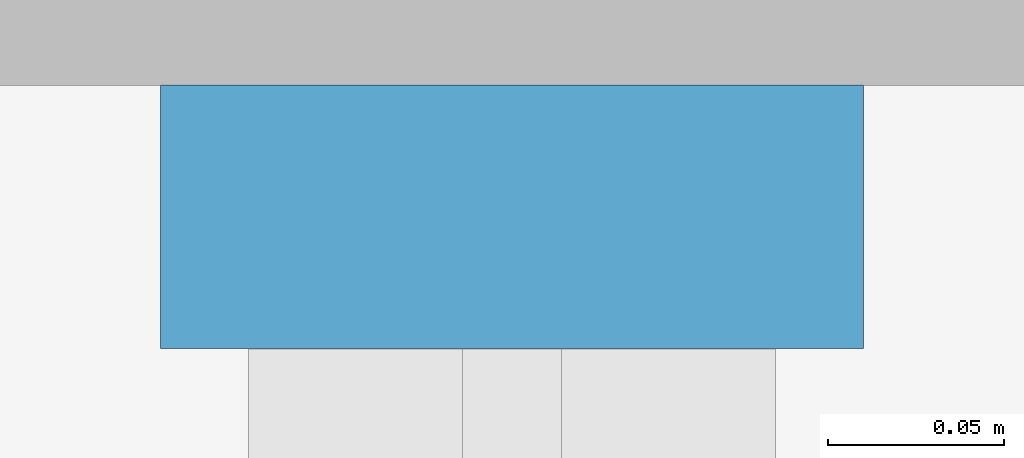
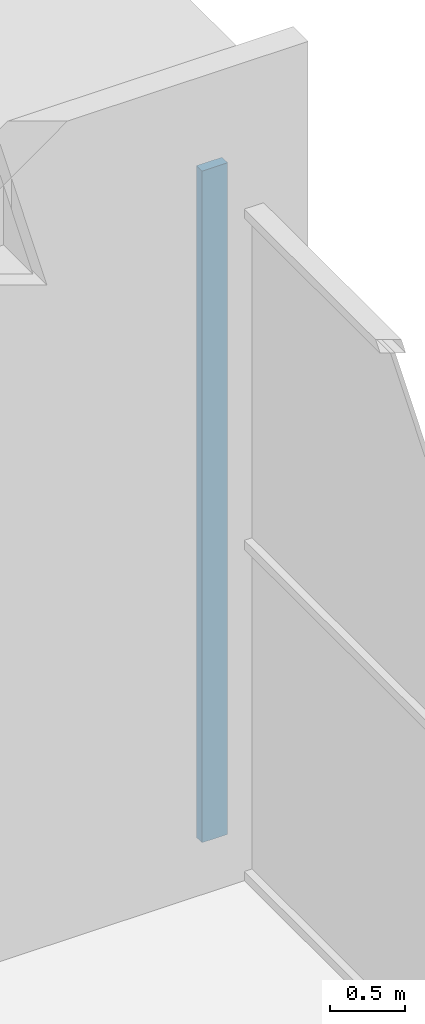
# One storey, part 16 of 45: 1 member, 1 element without a shape of its own.
"""IFC4 building model written with IfcOpenShell, lengths in metres."""

from ifc_helpers import new_model, si_unit, direction, frame, origin, origin_2d, place, context, subcontext, project, spatial, rectangle, extrude, material, layer, layer_set, material_profile, profile_set, type_object, element, aggregate, save


model = new_model("IFC4")

# Units and contexts
model_context = context("Model", 3, precision=1e-05, world=origin(), true_north=direction((0.0, 1.0)))
body_context = subcontext(model_context, "Body", "Model", "MODEL_VIEW")
ifc_project = project(units=[si_unit("LENGTHUNIT", "METRE"), si_unit("AREAUNIT", "SQUARE_METRE"), si_unit("VOLUMEUNIT", "CUBIC_METRE"), si_unit("PLANEANGLEUNIT", "RADIAN"), si_unit("MASSUNIT", "GRAM", prefix="KILO")], contexts=[model_context])

# Site, building, storey
site_placement = place(None, origin())
site = spatial("IfcSite", under=ifc_project, at=site_placement, CompositionType="ELEMENT")
building_placement = place(site_placement, origin())
building = spatial("IfcBuilding", under=site, at=building_placement, Name="Corbelhall Arena Tower", CompositionType="ELEMENT")
storey_placement = place(building_placement, frame((0.0, 0.0, 37.0)))
storey = spatial("IfcBuildingStorey", under=building, at=storey_placement, Name="L05", CompositionType="ELEMENT", Elevation=37.0)

# Curtain wall, member
ifc_material = material(Name="Aluminium black anodised", Category="aluminium")
ifc_layer = layer(ifc_material, 0.239990234375)
ifc_layer_set = layer_set([ifc_layer], Name="EV-CW4 Arena concourse glazing")
curtain_wall_type = type_object("IfcCurtainWallType", Name="EV-CW4 Arena concourse glazing", PredefinedType="NOTDEFINED", material=ifc_layer_set)
curtain_wall_placement = place(storey_placement, origin())
curtain_wall = element("IfcCurtainWall", 1, at=curtain_wall_placement, inside=storey, type_object=curtain_wall_type, Name="Curtain wall CW4", PredefinedType="NOTDEFINED")
ifc_material_profile = material_profile(ifc_material, rectangle(XDim=0.199951171875, YDim=0.074951171875, at=origin_2d()))
ifc_profile_set = profile_set([ifc_material_profile], Name="Aluminium black anodised")
member_type = type_object("IfcMemberType", Name="EV-CW4-MULLION", PredefinedType="MULLION", material=ifc_profile_set)
member_placement = place(storey_placement, frame((47.3798828125, -1.83740234375, 0.0), z_axis=(0.0, 0.0, 1.0), x_axis=(-1.0, 0.0, 0.0)))
member = element("IfcMember", 2, at=member_placement, type_object=member_type, Name="CW4 mullion 3", PredefinedType="MULLION", context=body_context, shape_type="SweptSolid", body=[
    extrude(rectangle(XDim=0.199951171875, YDim=0.074951171875, at=origin_2d()), origin(), (0.0, 0.0, 1.0), 5.5),
])
aggregate(curtain_wall, [member])

save(model, "model.ifc")
